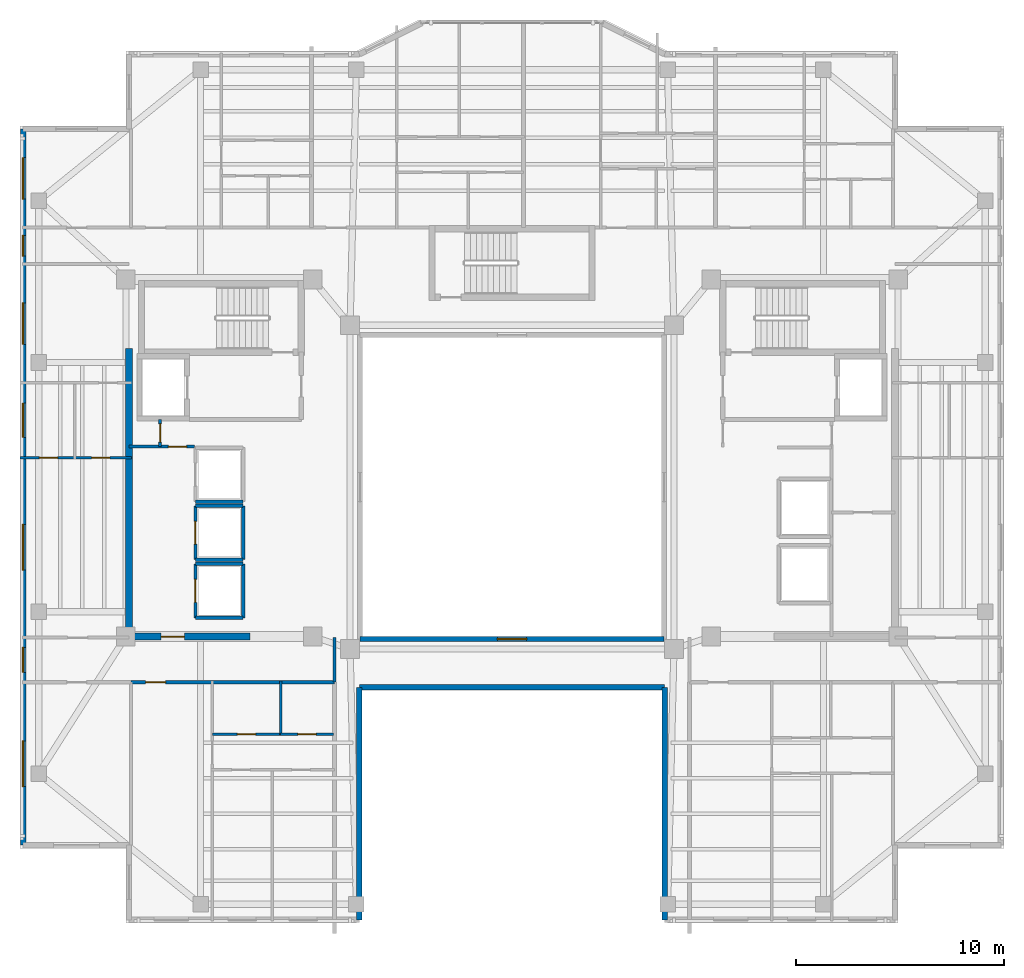
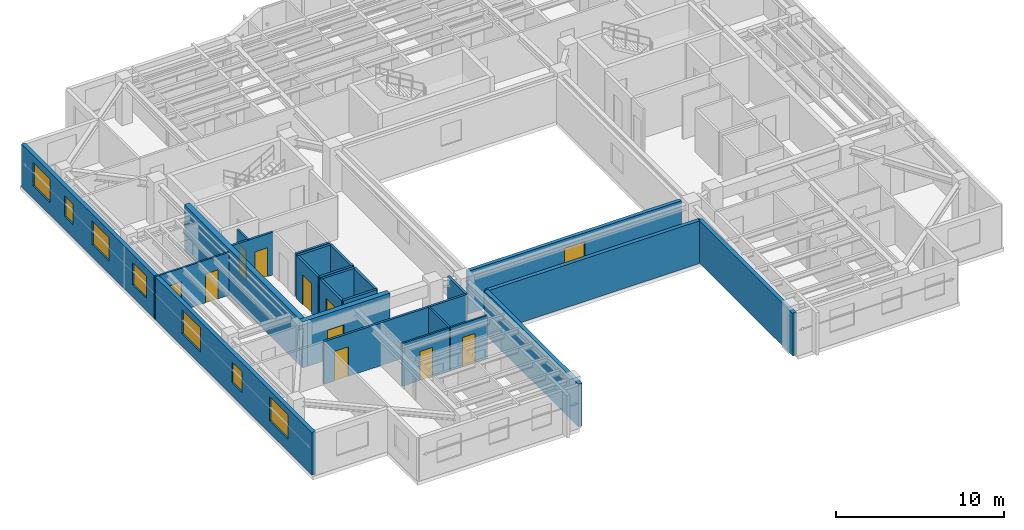
# One storey, part 4 of 12: 24 walls, 10 doors, 8 windows, 18 openings.
"""IFC4 building model written with IfcOpenShell, lengths in metres."""

from ifc_helpers import new_model, si_unit, direction, frame, frame_2d, origin, place, context, subcontext, project, spatial, rectangle, extrude, material, layer, layer_set, type_object, element, fill, save


model = new_model("IFC4")

# Units and contexts
model_context = context("Model", 3, precision=1e-05, world=origin(), true_north=direction((0.0, 1.0)))
body_context = subcontext(model_context, "Body", "Model", "MODEL_VIEW")
ifc_project = project(units=[si_unit("LENGTHUNIT", "METRE"), si_unit("AREAUNIT", "SQUARE_METRE"), si_unit("VOLUMEUNIT", "CUBIC_METRE"), si_unit("PLANEANGLEUNIT", "RADIAN"), si_unit("MASSUNIT", "GRAM", prefix="KILO")], contexts=[model_context])

# Site, building, storey
site_placement = place(None, origin())
site = spatial("IfcSite", under=ifc_project, at=site_placement, CompositionType="ELEMENT")
building_placement = place(site_placement, origin())
building = spatial("IfcBuilding", under=site, at=building_placement, Name="Tarnavaz Court Tower", CompositionType="ELEMENT")
storey_placement = place(building_placement, frame((0.0, 0.0, 220.39990234375)))
storey = spatial("IfcBuildingStorey", under=building, at=storey_placement, Name="L60", CompositionType="ELEMENT", Elevation=220.39990234375)

# Wall
ifc_material_1 = material(Name="Concrete C50/60", Category="concrete")
ifc_layer_1 = layer(ifc_material_1, 0.35009765625)
ifc_layer_set_1 = layer_set([ifc_layer_1], Name="Concrete C50/60")
wall_type_1 = type_object("IfcWallType", Name="WL-CORE-350-C50", PredefinedType="SHEAR", material=ifc_layer_set_1)
wall_1_placement = place(storey_placement, frame((-18.449951171875, -7.375, 0.0), z_axis=(0.0, 0.0, 1.0), x_axis=(0.0, 1.0, 0.0)))
element("IfcWall", 1, at=wall_1_placement, inside=storey, type_object=wall_type_1, Name="L60 West Core Shear Wall 045", PredefinedType="SHEAR", context=body_context, shape_type="SweptSolid", body=[
    extrude(rectangle(XDim=14.050048828125, YDim=0.35009765625, at=frame_2d((7.02490234375, 0.0))), origin(), (0.0, 0.0, 1.0), 3.35009765625),
])

# Wall, opening, door
wall_2_placement = place(storey_placement, frame((-18.625, -7.199951171875, 0.0), z_axis=(0.0, 0.0, 1.0), x_axis=(1.0, 0.0, 0.0)))
wall_2 = element("IfcWall", 2, at=wall_2_placement, inside=storey, type_object=wall_type_1, Name="L60 West Core South Shear Wall 046", PredefinedType="SHEAR", context=body_context, shape_type="SweptSolid", body=[
    extrude(rectangle(XDim=6.0, YDim=0.35009765625, at=frame_2d((3.0, 0.0))), origin(), (0.0, 0.0, 1.0), 3.35009765625),
])
opening_1_placement = place(wall_2_placement, frame((1.72509765625, 0.0, 0.0)))
opening_1 = element("IfcOpeningElement", 3, at=opening_1_placement, cuts=wall_2, Name="Opening D04", PredefinedType="OPENING", context=body_context, shape_type="SweptSolid", body=[
    extrude(rectangle(XDim=1.1201171875, YDim=2.14990234375, at=frame_2d((0.56005859375, 1.074951171875))), frame((0.0, 0.18505859375, 0.0), z_axis=(0.0, -1.0, 0.0), x_axis=(1.0, 0.0, 0.0)), (0.0, 0.0, 1.0), 0.3701171875),
])
ifc_material_2 = material(Name="Fire-Rated Hardwood Timber Core", Category="wood")
door_type_1 = type_object("IfcDoorType", Name="DR-FD60-1100", OperationType="NOTDEFINED", PredefinedType="DOOR", material=ifc_material_2)
door_1_placement = place(opening_1_placement, origin())
door_1 = element("IfcDoor", 4, at=door_1_placement, inside=storey, type_object=door_type_1, Name="L60 West High-Rise Lift Lobby Door", OperationType="SINGLE_SWING_LEFT", OverallHeight=2.14990234375, OverallWidth=1.1201171875, PredefinedType="DOOR", context=body_context, shape_type="SweptSolid", body=[
    extrude(rectangle(XDim=1.1201171875, YDim=2.14990234375, at=frame_2d((0.56005859375, 1.074951171875))), frame((0.0, 0.02490234375, 0.0), z_axis=(0.0, -1.0, 0.0), x_axis=(1.0, 0.0, 0.0)), (0.0, 0.0, 1.0), 0.050048828125),
])
fill(opening_1, door_1)

# Wall, openings, windows
ifc_material_3 = material(Name="Precast Concrete C40/50", Category="concrete")
ifc_layer_2 = layer(ifc_material_3, 0.260009765625)
ifc_layer_set_2 = layer_set([ifc_layer_2], Name="Precast Concrete C40/50")
wall_type_2 = type_object("IfcWallType", Name="WL-EXT-260", PredefinedType="SOLIDWALL", material=ifc_layer_set_2)
wall_3_placement = place(storey_placement, frame((-23.550048828125, -17.25, 0.0), z_axis=(0.0, 0.0, 1.0), x_axis=(0.0, 1.0, 0.0)))
wall_3 = element("IfcWall", 5, at=wall_3_placement, inside=storey, type_object=wall_type_2, Name="L60 Exterior Terracotta Facade Wall 02", PredefinedType="SOLIDWALL", context=body_context, shape_type="SweptSolid", body=[
    extrude(rectangle(XDim=34.5, YDim=0.260009765625, at=frame_2d((17.25, 0.0))), origin(), (0.0, 0.0, 1.0), 3.10009765625),
])
opening_2_placement = place(wall_3_placement, frame((2.824951171875, 0.0, 0.89990234375)))
opening_2 = element("IfcOpeningElement", 6, at=opening_2_placement, cuts=wall_3, Name="Opening W07", PredefinedType="OPENING", context=body_context, shape_type="SweptSolid", body=[
    extrude(rectangle(XDim=2.199951171875, YDim=1.75, at=frame_2d((1.10009765625, 0.875))), frame((0.0, 0.139892578125, 0.0), z_axis=(0.0, -1.0, 0.0), x_axis=(1.0, 0.0, 0.0)), (0.0, 0.0, 1.0), 0.280029296875),
])
opening_3_placement = place(wall_3_placement, frame((8.324951171875, 0.0, 0.949951171875)))
opening_3 = element("IfcOpeningElement", 7, at=opening_3_placement, cuts=wall_3, Name="Opening W05", PredefinedType="OPENING", context=body_context, shape_type="SweptSolid", body=[
    extrude(rectangle(XDim=1.199951171875, YDim=1.5, at=frame_2d((0.60009765625, 0.75))), frame((0.0, 0.139892578125, 0.0), z_axis=(0.0, -1.0, 0.0), x_axis=(1.0, 0.0, 0.0)), (0.0, 0.0, 1.0), 0.280029296875),
])
opening_4_placement = place(wall_3_placement, frame((13.25, 0.0, 0.89990234375)))
opening_4 = element("IfcOpeningElement", 8, at=opening_4_placement, cuts=wall_3, Name="Opening W07", PredefinedType="OPENING", context=body_context, shape_type="SweptSolid", body=[
    extrude(rectangle(XDim=2.199951171875, YDim=1.75, at=frame_2d((1.10009765625, 0.875))), frame((0.0, 0.139892578125, 0.0), z_axis=(0.0, -1.0, 0.0), x_axis=(1.0, 0.0, 0.0)), (0.0, 0.0, 1.0), 0.280029296875),
])
opening_5_placement = place(wall_3_placement, frame((19.64990234375, 0.0, 0.89990234375)))
opening_5 = element("IfcOpeningElement", 9, at=opening_5_placement, cuts=wall_3, Name="Opening W02", PredefinedType="OPENING", context=body_context, shape_type="SweptSolid", body=[
    extrude(rectangle(XDim=1.64990234375, YDim=1.60009765625, at=frame_2d((0.824951171875, 0.800048828125))), frame((0.0, 0.139892578125, 0.0), z_axis=(0.0, -1.0, 0.0), x_axis=(1.0, 0.0, 0.0)), (0.0, 0.0, 1.0), 0.280029296875),
])
opening_6_placement = place(wall_3_placement, frame((24.125, 0.0, 0.89990234375)))
opening_6 = element("IfcOpeningElement", 10, at=opening_6_placement, cuts=wall_3, Name="Opening W08", PredefinedType="OPENING", context=body_context, shape_type="SweptSolid", body=[
    extrude(rectangle(XDim=2.0, YDim=1.699951171875, at=frame_2d((1.0, 0.85009765625))), frame((0.0, 0.139892578125, 0.0), z_axis=(0.0, -1.0, 0.0), x_axis=(1.0, 0.0, 0.0)), (0.0, 0.0, 1.0), 0.280029296875),
])
opening_7_placement = place(wall_3_placement, frame((28.375, 0.0, 0.949951171875)))
opening_7 = element("IfcOpeningElement", 11, at=opening_7_placement, cuts=wall_3, Name="Opening W14", PredefinedType="OPENING", context=body_context, shape_type="SweptSolid", body=[
    extrude(rectangle(XDim=1.0, YDim=1.5, at=frame_2d((0.5, 0.75))), frame((0.0, 0.139892578125, 0.0), z_axis=(0.0, -1.0, 0.0), x_axis=(1.0, 0.0, 0.0)), (0.0, 0.0, 1.0), 0.280029296875),
])
opening_8_placement = place(wall_3_placement, frame((31.125, 0.0, 0.89990234375)))
opening_8 = element("IfcOpeningElement", 12, at=opening_8_placement, cuts=wall_3, Name="Opening W08", PredefinedType="OPENING", context=body_context, shape_type="SweptSolid", body=[
    extrude(rectangle(XDim=2.0, YDim=1.699951171875, at=frame_2d((1.0, 0.85009765625))), frame((0.0, 0.139892578125, 0.0), z_axis=(0.0, -1.0, 0.0), x_axis=(1.0, 0.0, 0.0)), (0.0, 0.0, 1.0), 0.280029296875),
])
ifc_material_4 = material(Name="Double-Glazed Solar Low-E Glass", Category="glass")
window_type_1 = type_object("IfcWindowType", Name="WN-APT-1000", PartitioningType="SINGLE_PANEL", PredefinedType="WINDOW", material=ifc_material_4)
window_1_placement = place(opening_7_placement, origin())
window_1 = element("IfcWindow", 13, at=window_1_placement, inside=storey, type_object=window_type_1, Name="L60 North-West Corner Corridor Window", OverallHeight=1.5, OverallWidth=1.0, PartitioningType="SINGLE_PANEL", PredefinedType="WINDOW", context=body_context, shape_type="SweptSolid", body=[
    extrude(rectangle(XDim=1.0, YDim=1.5, at=frame_2d((0.5, 0.75))), frame((0.0, 0.030029296875, 0.0), z_axis=(0.0, -1.0, 0.0), x_axis=(1.0, 0.0, 0.0)), (0.0, 0.0, 1.0), 0.06005859375),
])
fill(opening_7, window_1)
window_type_2 = type_object("IfcWindowType", Name="WN-APT-1200", PartitioningType="SINGLE_PANEL", PredefinedType="WINDOW", material=ifc_material_4)
window_2_placement = place(opening_3_placement, origin())
window_2 = element("IfcWindow", 14, at=window_2_placement, inside=storey, type_object=window_type_2, Name="L60 South-West Corner Corridor Window", OverallHeight=1.5, OverallWidth=1.199951171875, PartitioningType="SINGLE_PANEL", PredefinedType="WINDOW", context=body_context, shape_type="SweptSolid", body=[
    extrude(rectangle(XDim=1.199951171875, YDim=1.5, at=frame_2d((0.60009765625, 0.75))), frame((0.0, 0.030029296875, 0.0), z_axis=(0.0, -1.0, 0.0), x_axis=(1.0, 0.0, 0.0)), (0.0, 0.0, 1.0), 0.06005859375),
])
fill(opening_3, window_2)
window_type_3 = type_object("IfcWindowType", Name="WN-APT-1650", PartitioningType="DOUBLE_PANEL_VERTICAL", PredefinedType="WINDOW", material=ifc_material_4)
window_3_placement = place(opening_5_placement, origin())
window_3 = element("IfcWindow", 15, at=window_3_placement, inside=storey, type_object=window_type_3, Name="L60 Flat 07 Kitchen Window", OverallHeight=1.60009765625, OverallWidth=1.64990234375, PartitioningType="SINGLE_PANEL", PredefinedType="WINDOW", context=body_context, shape_type="SweptSolid", body=[
    extrude(rectangle(XDim=1.64990234375, YDim=1.60009765625, at=frame_2d((0.824951171875, 0.800048828125))), frame((0.0, 0.030029296875, 0.0), z_axis=(0.0, -1.0, 0.0), x_axis=(1.0, 0.0, 0.0)), (0.0, 0.0, 1.0), 0.06005859375),
])
fill(opening_5, window_3)
window_type_4 = type_object("IfcWindowType", Name="WN-APT-2000", PartitioningType="DOUBLE_PANEL_VERTICAL", PredefinedType="WINDOW", material=ifc_material_4)
window_4_placement = place(opening_6_placement, origin())
window_4 = element("IfcWindow", 16, at=window_4_placement, inside=storey, type_object=window_type_4, Name="L60 Flat 07 Study Room Window", OverallHeight=1.699951171875, OverallWidth=2.0, PartitioningType="SINGLE_PANEL", PredefinedType="WINDOW", context=body_context, shape_type="SweptSolid", body=[
    extrude(rectangle(XDim=2.0, YDim=1.699951171875, at=frame_2d((1.0, 0.85009765625))), frame((0.0, 0.030029296875, 0.0), z_axis=(0.0, -1.0, 0.0), x_axis=(1.0, 0.0, 0.0)), (0.0, 0.0, 1.0), 0.06005859375),
])
fill(opening_6, window_4)
window_5_placement = place(opening_8_placement, origin())
window_5 = element("IfcWindow", 17, at=window_5_placement, inside=storey, type_object=window_type_4, Name="L60 North-West Corner Sunroom Study Window", OverallHeight=1.699951171875, OverallWidth=2.0, PartitioningType="SINGLE_PANEL", PredefinedType="WINDOW", context=body_context, shape_type="SweptSolid", body=[
    extrude(rectangle(XDim=2.0, YDim=1.699951171875, at=frame_2d((1.0, 0.85009765625))), frame((0.0, 0.030029296875, 0.0), z_axis=(0.0, -1.0, 0.0), x_axis=(1.0, 0.0, 0.0)), (0.0, 0.0, 1.0), 0.06005859375),
])
fill(opening_8, window_5)
window_type_5 = type_object("IfcWindowType", Name="WN-APT-2200", PartitioningType="TRIPLE_PANEL_VERTICAL", PredefinedType="WINDOW", material=ifc_material_4)
window_6_placement = place(opening_2_placement, origin())
window_6 = element("IfcWindow", 18, at=window_6_placement, inside=storey, type_object=window_type_5, Name="L60 South-West Corner Reading Room Window", OverallHeight=1.75, OverallWidth=2.199951171875, PartitioningType="SINGLE_PANEL", PredefinedType="WINDOW", context=body_context, shape_type="SweptSolid", body=[
    extrude(rectangle(XDim=2.199951171875, YDim=1.75, at=frame_2d((1.10009765625, 0.875))), frame((0.0, 0.030029296875, 0.0), z_axis=(0.0, -1.0, 0.0), x_axis=(1.0, 0.0, 0.0)), (0.0, 0.0, 1.0), 0.06005859375),
])
fill(opening_2, window_6)
window_7_placement = place(opening_4_placement, origin())
window_7 = element("IfcWindow", 19, at=window_7_placement, inside=storey, type_object=window_type_5, Name="L60 Flat 07 Studio Living and Sleeping Room Window", OverallHeight=1.75, OverallWidth=2.199951171875, PartitioningType="SINGLE_PANEL", PredefinedType="WINDOW", context=body_context, shape_type="SweptSolid", body=[
    extrude(rectangle(XDim=2.199951171875, YDim=1.75, at=frame_2d((1.10009765625, 0.875))), frame((0.0, 0.030029296875, 0.0), z_axis=(0.0, -1.0, 0.0), x_axis=(1.0, 0.0, 0.0)), (0.0, 0.0, 1.0), 0.06005859375),
])
fill(opening_4, window_7)

# Walls
wall_4_placement = place(storey_placement, frame((7.35009765625, -20.85009765625, 0.0), z_axis=(0.0, 0.0, 1.0), x_axis=(0.0, 1.0, 0.0)))
element("IfcWall", 20, at=wall_4_placement, inside=storey, type_object=wall_type_2, Name="L60 Exterior Terracotta Facade Wall 16", PredefinedType="SOLIDWALL", context=body_context, shape_type="SweptSolid", body=[
    extrude(rectangle(XDim=11.2001953125, YDim=0.260009765625, at=frame_2d((5.60009765625, 0.0))), origin(), (0.0, 0.0, 1.0), 3.10009765625),
])
wall_5_placement = place(storey_placement, frame((7.35009765625, -9.64990234375, 0.0), z_axis=(0.0, 0.0, 1.0), x_axis=(-1.0, 0.0, 0.0)))
element("IfcWall", 21, at=wall_5_placement, inside=storey, type_object=wall_type_2, Name="L60 Exterior Terracotta Facade Wall 17", PredefinedType="SOLIDWALL", context=body_context, shape_type="SweptSolid", body=[
    extrude(rectangle(XDim=14.7001953125, YDim=0.260009765625, at=frame_2d((7.35009765625, 0.0))), origin(), (0.0, 0.0, 1.0), 3.10009765625),
])
wall_6_placement = place(storey_placement, frame((-7.35009765625, -9.64990234375, 0.0), z_axis=(0.0, 0.0, 1.0), x_axis=(0.0, -1.0, 0.0)))
element("IfcWall", 22, at=wall_6_placement, inside=storey, type_object=wall_type_2, Name="L60 Exterior Terracotta Facade Wall 18", PredefinedType="SOLIDWALL", context=body_context, shape_type="SweptSolid", body=[
    extrude(rectangle(XDim=11.2001953125, YDim=0.260009765625, at=frame_2d((5.60009765625, 0.0))), origin(), (0.0, 0.0, 1.0), 3.10009765625),
])

# Wall, opening, door
ifc_material_5 = material(Name="Gypsum Fire-Board on Acoustic Metal Stud", Category="masonry")
ifc_layer_3 = layer(ifc_material_5, 0.14990234375)
ifc_layer_set_3 = layer_set([ifc_layer_3], Name="Gypsum Fire-Board on Acoustic Metal Stud")
wall_type_3 = type_object("IfcWallType", Name="WL-FIRE-150", PredefinedType="PARTITIONING", material=ifc_layer_set_3)
wall_7_placement = place(storey_placement, frame((-18.35009765625, -9.39990234375, 0.0), z_axis=(0.0, 0.0, 1.0), x_axis=(1.0, 0.0, 0.0)))
wall_7 = element("IfcWall", 23, at=wall_7_placement, inside=storey, type_object=wall_type_3, Name="L60 SW Lobby Wall 057", PredefinedType="PARTITIONING", context=body_context, shape_type="SweptSolid", body=[
    extrude(rectangle(XDim=9.800048828125, YDim=0.14990234375, at=frame_2d((4.89990234375, 0.0))), origin(), (0.0, 0.0, 1.0), 3.10009765625),
])
opening_9_placement = place(wall_7_placement, frame((0.699951171875, 0.0, 0.0)))
opening_9 = element("IfcOpeningElement", 24, at=opening_9_placement, cuts=wall_7, Name="Opening D06", PredefinedType="OPENING", context=body_context, shape_type="SweptSolid", body=[
    extrude(rectangle(XDim=0.9599609375, YDim=2.14990234375, at=frame_2d((0.47998046875, 1.074951171875))), frame((0.0, 0.0849609375, 0.0), z_axis=(0.0, -1.0, 0.0), x_axis=(1.0, 0.0, 0.0)), (0.0, 0.0, 1.0), 0.169921875),
])
door_type_2 = type_object("IfcDoorType", Name="DR-FD60-950", OperationType="NOTDEFINED", PredefinedType="DOOR", material=ifc_material_2)
door_2_placement = place(opening_9_placement, origin())
door_2 = element("IfcDoor", 25, at=door_2_placement, inside=storey, type_object=door_type_2, Name="L60 Flat 05 Entrance Door", OperationType="SINGLE_SWING_LEFT", OverallHeight=2.14990234375, OverallWidth=0.9599609375, PredefinedType="DOOR", context=body_context, shape_type="SweptSolid", body=[
    extrude(rectangle(XDim=0.9599609375, YDim=2.14990234375, at=frame_2d((0.47998046875, 1.074951171875))), frame((0.0, 0.02490234375, 0.0), z_axis=(0.0, -1.0, 0.0), x_axis=(1.0, 0.0, 0.0)), (0.0, 0.0, 1.0), 0.050048828125),
])
fill(opening_9, door_2)

# Wall
wall_8_placement = place(storey_placement, frame((-8.550048828125, -9.39990234375, 0.0), z_axis=(0.0, 0.0, 1.0), x_axis=(0.0, 1.0, 0.0)))
element("IfcWall", 26, at=wall_8_placement, inside=storey, type_object=wall_type_3, Name="L60 West Spine End Wall 059", PredefinedType="PARTITIONING", context=body_context, shape_type="SweptSolid", body=[
    extrude(rectangle(XDim=2.14990234375, YDim=0.14990234375, at=frame_2d((1.074951171875, 0.0))), origin(), (0.0, 0.0, 1.0), 3.10009765625),
])

# Wall, opening, door
ifc_material_6 = material(Name="Moisture-Resistant Gypsum Board Partition", Category="masonry")
ifc_layer_4 = layer(ifc_material_6, 0.1201171875)
ifc_layer_set_4 = layer_set([ifc_layer_4], Name="Moisture-Resistant Gypsum Board Partition")
wall_type_4 = type_object("IfcWallType", Name="WL-PART-120", PredefinedType="PARTITIONING", material=ifc_layer_set_4)
wall_9_placement = place(storey_placement, frame((-14.43798828125, -11.909912109375, 0.0), z_axis=(0.0, 0.0, 1.0), x_axis=(1.0, 0.0, 0.0)))
wall_9 = element("IfcWall", 27, at=wall_9_placement, inside=storey, type_object=wall_type_4, Name="L60 Interior Partition 087", PredefinedType="PARTITIONING", context=body_context, shape_type="SweptSolid", body=[
    extrude(rectangle(XDim=3.29296875, YDim=0.1201171875, at=frame_2d((1.646484375, 0.0))), origin(), (0.0, 0.0, 1.0), 3.10009765625),
])
opening_10_placement = place(wall_9_placement, frame((1.20703125, 0.0, 0.0)))
opening_10 = element("IfcOpeningElement", 28, at=opening_10_placement, cuts=wall_9, Name="Opening D14", PredefinedType="OPENING", context=body_context, shape_type="SweptSolid", body=[
    extrude(rectangle(XDim=0.8798828125, YDim=2.10009765625, at=frame_2d((0.43994140625, 1.050048828125))), frame((0.0, 0.070068359375, 0.0), z_axis=(0.0, -1.0, 0.0), x_axis=(1.0, 0.0, 0.0)), (0.0, 0.0, 1.0), 0.14013671875),
])
ifc_material_7 = material(Name="Engineered Oak Timber", Category="wood")
door_type_3 = type_object("IfcDoorType", Name="DR-INT-900", OperationType="NOTDEFINED", PredefinedType="DOOR", material=ifc_material_7)
door_3_placement = place(opening_10_placement, origin())
door_3 = element("IfcDoor", 29, at=door_3_placement, inside=storey, type_object=door_type_3, Name="L60 Flat 05 Kitchen Door", OperationType="SINGLE_SWING_LEFT", OverallHeight=2.10009765625, OverallWidth=0.8798828125, PredefinedType="DOOR", context=body_context, shape_type="SweptSolid", body=[
    extrude(rectangle(XDim=0.8798828125, YDim=2.10009765625, at=frame_2d((0.43994140625, 1.050048828125))), frame((0.0, 0.02490234375, 0.0), z_axis=(0.0, -1.0, 0.0), x_axis=(1.0, 0.0, 0.0)), (0.0, 0.0, 1.0), 0.050048828125),
])
fill(opening_10, door_3)

wall_10_placement = place(storey_placement, frame((-11.14501953125, -11.909912109375, 0.0), z_axis=(0.0, 0.0, 1.0), x_axis=(1.0, 0.0, 0.0)))
wall_10 = element("IfcWall", 30, at=wall_10_placement, inside=storey, type_object=wall_type_4, Name="L60 Interior Partition 088", PredefinedType="PARTITIONING", context=body_context, shape_type="SweptSolid", body=[
    extrude(rectangle(XDim=2.544921875, YDim=0.1201171875, at=frame_2d((1.2724609375, 0.0))), origin(), (0.0, 0.0, 1.0), 3.10009765625),
])
opening_11_placement = place(wall_10_placement, frame((0.8330078125, 0.0, 0.0)))
opening_11 = element("IfcOpeningElement", 31, at=opening_11_placement, cuts=wall_10, Name="Opening D14", PredefinedType="OPENING", context=body_context, shape_type="SweptSolid", body=[
    extrude(rectangle(XDim=0.8798828125, YDim=2.10009765625, at=frame_2d((0.43994140625, 1.050048828125))), frame((0.0, 0.070068359375, 0.0), z_axis=(0.0, -1.0, 0.0), x_axis=(1.0, 0.0, 0.0)), (0.0, 0.0, 1.0), 0.14013671875),
])
door_4_placement = place(opening_11_placement, origin())
door_4 = element("IfcDoor", 32, at=door_4_placement, inside=storey, type_object=door_type_3, Name="L60 Flat 05 Bathroom Door", OperationType="SINGLE_SWING_RIGHT", OverallHeight=2.10009765625, OverallWidth=0.8798828125, PredefinedType="DOOR", context=body_context, shape_type="SweptSolid", body=[
    extrude(rectangle(XDim=0.8798828125, YDim=2.10009765625, at=frame_2d((0.43994140625, 1.050048828125))), frame((0.0, 0.02490234375, 0.0), z_axis=(0.0, -1.0, 0.0), x_axis=(1.0, 0.0, 0.0)), (0.0, 0.0, 1.0), 0.050048828125),
])
fill(opening_11, door_4)

# Wall
wall_11_placement = place(storey_placement, frame((-11.14501953125, -11.969970703125, 0.0), z_axis=(0.0, 0.0, 1.0), x_axis=(0.0, 1.0, 0.0)))
element("IfcWall", 33, at=wall_11_placement, inside=storey, type_object=wall_type_4, Name="L60 Interior Partition 090", PredefinedType="PARTITIONING", context=body_context, shape_type="SweptSolid", body=[
    extrude(rectangle(XDim=2.6298828125, YDim=0.1201171875, at=frame_2d((1.31494140625, 0.0))), origin(), (0.0, 0.0, 1.0), 3.10009765625),
])

# Wall, openings, doors
wall_12_placement = place(storey_placement, frame((-23.699951171875, 1.419921875, 0.0), z_axis=(0.0, 0.0, 1.0), x_axis=(1.0, 0.0, 0.0)))
wall_12 = element("IfcWall", 34, at=wall_12_placement, inside=storey, type_object=wall_type_4, Name="L60 Interior Partition 112", PredefinedType="PARTITIONING", context=body_context, shape_type="SweptSolid", body=[
    extrude(rectangle(XDim=5.369873046875, YDim=0.1201171875, at=frame_2d((2.68505859375, 0.0))), origin(), (0.0, 0.0, 1.0), 3.10009765625),
])
opening_12_placement = place(wall_12_placement, frame((0.93701171875, 0.0, 0.0)))
opening_12 = element("IfcOpeningElement", 35, at=opening_12_placement, cuts=wall_12, Name="Opening D14", PredefinedType="OPENING", context=body_context, shape_type="SweptSolid", body=[
    extrude(rectangle(XDim=0.8798828125, YDim=2.10009765625, at=frame_2d((0.43994140625, 1.050048828125))), frame((0.0, 0.070068359375, 0.0), z_axis=(0.0, -1.0, 0.0), x_axis=(1.0, 0.0, 0.0)), (0.0, 0.0, 1.0), 0.14013671875),
])
opening_13_placement = place(wall_12_placement, frame((3.451904296875, 0.0, 0.0)))
opening_13 = element("IfcOpeningElement", 36, at=opening_13_placement, cuts=wall_12, Name="Opening D14", PredefinedType="OPENING", context=body_context, shape_type="SweptSolid", body=[
    extrude(rectangle(XDim=0.8798828125, YDim=2.10009765625, at=frame_2d((0.43994140625, 1.050048828125))), frame((0.0, 0.070068359375, 0.0), z_axis=(0.0, -1.0, 0.0), x_axis=(1.0, 0.0, 0.0)), (0.0, 0.0, 1.0), 0.14013671875),
])
door_5_placement = place(opening_12_placement, origin())
door_5 = element("IfcDoor", 37, at=door_5_placement, inside=storey, type_object=door_type_3, Name="L60 Flat 07 Kitchen Door", OperationType="SINGLE_SWING_RIGHT", OverallHeight=2.10009765625, OverallWidth=0.8798828125, PredefinedType="DOOR", context=body_context, shape_type="SweptSolid", body=[
    extrude(rectangle(XDim=0.8798828125, YDim=2.10009765625, at=frame_2d((0.43994140625, 1.050048828125))), frame((0.0, 0.02490234375, 0.0), z_axis=(0.0, -1.0, 0.0), x_axis=(1.0, 0.0, 0.0)), (0.0, 0.0, 1.0), 0.050048828125),
])
fill(opening_12, door_5)
door_6_placement = place(opening_13_placement, origin())
door_6 = element("IfcDoor", 38, at=door_6_placement, inside=storey, type_object=door_type_3, Name="L60 Flat 07 Bathroom Door", OperationType="SINGLE_SWING_LEFT", OverallHeight=2.10009765625, OverallWidth=0.8798828125, PredefinedType="DOOR", context=body_context, shape_type="SweptSolid", body=[
    extrude(rectangle(XDim=0.8798828125, YDim=2.10009765625, at=frame_2d((0.43994140625, 1.050048828125))), frame((0.0, 0.02490234375, 0.0), z_axis=(0.0, -1.0, 0.0), x_axis=(1.0, 0.0, 0.0)), (0.0, 0.0, 1.0), 0.050048828125),
])
fill(opening_13, door_6)

# Wall, opening, door
ifc_material_8 = material(Name="Gypsum Plasterboard Acoustic Partition", Category="masonry")
ifc_layer_5 = layer(ifc_material_8, 0.139892578125)
ifc_layer_set_5 = layer_set([ifc_layer_5], Name="Gypsum Plasterboard Acoustic Partition")
wall_type_5 = type_object("IfcWallType", Name="WL-PART-150", PredefinedType="PARTITIONING", material=ifc_layer_set_5)
wall_13_placement = place(storey_placement, frame((-18.449951171875, 1.949951171875, 0.0), z_axis=(0.0, 0.0, 1.0), x_axis=(1.0, 0.0, 0.0)))
wall_13 = element("IfcWall", 39, at=wall_13_placement, inside=storey, type_object=wall_type_5, Name="L60 Interior Partition 049", PredefinedType="PARTITIONING", context=body_context, shape_type="SweptSolid", body=[
    extrude(rectangle(XDim=3.14990234375, YDim=0.139892578125, at=frame_2d((1.574951171875, 0.0))), origin(), (0.0, 0.0, 1.0), 3.10009765625),
])
opening_14_placement = place(wall_13_placement, frame((1.89990234375, 0.0, 0.0)))
opening_14 = element("IfcOpeningElement", 40, at=opening_14_placement, cuts=wall_13, Name="Opening D14", PredefinedType="OPENING", context=body_context, shape_type="SweptSolid", body=[
    extrude(rectangle(XDim=0.8798828125, YDim=2.10009765625, at=frame_2d((0.43994140625, 1.050048828125))), frame((0.0, 0.079833984375, 0.0), z_axis=(0.0, -1.0, 0.0), x_axis=(1.0, 0.0, 0.0)), (0.0, 0.0, 1.0), 0.159912109375),
])
door_7_placement = place(opening_14_placement, origin())
door_7 = element("IfcDoor", 41, at=door_7_placement, inside=storey, type_object=door_type_3, Name="L60 West Sky Switchgear Door", OperationType="SINGLE_SWING_RIGHT", OverallHeight=2.10009765625, OverallWidth=0.8798828125, PredefinedType="DOOR", context=body_context, shape_type="SweptSolid", body=[
    extrude(rectangle(XDim=0.8798828125, YDim=2.10009765625, at=frame_2d((0.43994140625, 1.050048828125))), frame((0.0, 0.02490234375, 0.0), z_axis=(0.0, -1.0, 0.0), x_axis=(1.0, 0.0, 0.0)), (0.0, 0.0, 1.0), 0.050048828125),
])
fill(opening_14, door_7)

wall_14_placement = place(storey_placement, frame((-16.949951171875, 1.949951171875, 0.0), z_axis=(0.0, 0.0, 1.0), x_axis=(0.0, 1.0, 0.0)))
wall_14 = element("IfcWall", 42, at=wall_14_placement, inside=storey, type_object=wall_type_5, Name="L60 Interior Partition 050", PredefinedType="PARTITIONING", context=body_context, shape_type="SweptSolid", body=[
    extrude(rectangle(XDim=1.300048828125, YDim=0.139892578125, at=frame_2d((0.64990234375, 0.0))), origin(), (0.0, 0.0, 1.0), 3.10009765625),
])
opening_15_placement = place(wall_14_placement, frame((0.219970703125, 0.0, 0.0)))
opening_15 = element("IfcOpeningElement", 43, at=opening_15_placement, cuts=wall_14, Name="Opening D14", PredefinedType="OPENING", context=body_context, shape_type="SweptSolid", body=[
    extrude(rectangle(XDim=0.8798828125, YDim=2.10009765625, at=frame_2d((0.43994140625, 1.050048828125))), frame((0.0, 0.079833984375, 0.0), z_axis=(0.0, -1.0, 0.0), x_axis=(1.0, 0.0, 0.0)), (0.0, 0.0, 1.0), 0.159912109375),
])
door_8_placement = place(opening_15_placement, origin())
door_8 = element("IfcDoor", 44, at=door_8_placement, inside=storey, type_object=door_type_3, Name="L60 West Sky Telecom Door", OperationType="SINGLE_SWING_LEFT", OverallHeight=2.10009765625, OverallWidth=0.8798828125, PredefinedType="DOOR", context=body_context, shape_type="SweptSolid", body=[
    extrude(rectangle(XDim=0.8798828125, YDim=2.10009765625, at=frame_2d((0.43994140625, 1.050048828125))), frame((0.0, 0.02490234375, 0.0), z_axis=(0.0, -1.0, 0.0), x_axis=(1.0, 0.0, 0.0)), (0.0, 0.0, 1.0), 0.050048828125),
])
fill(opening_15, door_8)

ifc_material_9 = material(Name="Autoclaved Aerated Concrete Blockwork", Category="masonry")
ifc_layer_6 = layer(ifc_material_9, 0.159912109375)
ifc_layer_set_6 = layer_set([ifc_layer_6], Name="Autoclaved Aerated Concrete Blockwork")
wall_type_6 = type_object("IfcWallType", Name="WL-SHAFT-150", PredefinedType="SOLIDWALL", material=ifc_layer_set_6)
wall_15_placement = place(storey_placement, frame((-15.25, -6.300048828125, 0.0), z_axis=(0.0, 0.0, 1.0), x_axis=(0.0, 1.0, 0.0)))
wall_15 = element("IfcWall", 45, at=wall_15_placement, inside=storey, type_object=wall_type_6, Name="L60 Lift PL-H1 Shaft Wall 021", PredefinedType="SOLIDWALL", context=body_context, shape_type="SweptSolid", body=[
    extrude(rectangle(XDim=2.60009765625, YDim=0.159912109375, at=frame_2d((1.300048828125, 0.0))), origin(), (0.0, 0.0, 1.0), 3.10009765625),
])
opening_16_placement = place(wall_15_placement, frame((0.75, 0.0, 0.0)))
opening_16 = element("IfcOpeningElement", 46, at=opening_16_placement, cuts=wall_15, Name="Opening LD1", PredefinedType="OPENING", context=body_context, shape_type="SweptSolid", body=[
    extrude(rectangle(XDim=1.10009765625, YDim=2.14990234375, at=frame_2d((0.550048828125, 1.074951171875))), frame((0.0, 0.08984375, 0.0), z_axis=(0.0, -1.0, 0.0), x_axis=(1.0, 0.0, 0.0)), (0.0, 0.0, 1.0), 0.179931640625),
])
ifc_material_10 = material(Name="Stainless Steel", Category="steel")
door_type_4 = type_object("IfcDoorType", Name="DR-LD-1100", OperationType="NOTDEFINED", PredefinedType="DOOR", material=ifc_material_10)
door_9_placement = place(opening_16_placement, origin())
door_9 = element("IfcDoor", 47, at=door_9_placement, inside=storey, type_object=door_type_4, Name="L60 Lift Landing Door LD-PL-H1", OperationType="SLIDING_TO_LEFT", OverallHeight=2.14990234375, OverallWidth=1.10009765625, PredefinedType="DOOR", context=body_context, shape_type="SweptSolid", body=[
    extrude(rectangle(XDim=1.10009765625, YDim=2.14990234375, at=frame_2d((0.550048828125, 1.074951171875))), frame((0.0, 0.02490234375, 0.0), z_axis=(0.0, -1.0, 0.0), x_axis=(1.0, 0.0, 0.0)), (0.0, 0.0, 1.0), 0.050048828125),
])
fill(opening_16, door_9)

# Walls
wall_16_placement = place(storey_placement, frame((-12.949951171875, -6.300048828125, 0.0), z_axis=(0.0, 0.0, 1.0), x_axis=(0.0, 1.0, 0.0)))
element("IfcWall", 48, at=wall_16_placement, inside=storey, type_object=wall_type_6, Name="L60 Lift PL-H1 Shaft Wall 022", PredefinedType="SOLIDWALL", context=body_context, shape_type="SweptSolid", body=[
    extrude(rectangle(XDim=2.60009765625, YDim=0.159912109375, at=frame_2d((1.300048828125, 0.0))), origin(), (0.0, 0.0, 1.0), 3.10009765625),
])
for number, where, z_axis, x_axis, name in (
    (49, (-15.25, -6.300048828125, 0.0), (0.0, 0.0, 1.0), (1.0, 0.0, 0.0), "L60 Lift PL-H1 Shaft Wall 023"),
    (50, (-15.25, -3.699951171875, 0.0), (0.0, 0.0, 1.0), (1.0, 0.0, 0.0), "L60 Lift PL-H1 Shaft Wall 024"),
):
    element("IfcWall", number, at=place(storey_placement, frame(where, z_axis=z_axis, x_axis=x_axis)), inside=storey, type_object=wall_type_6, Name=name, PredefinedType="SOLIDWALL", context=body_context, shape_type="SweptSolid", body=[
        extrude(rectangle(XDim=2.300048828125, YDim=0.159912109375, at=frame_2d((1.14990234375, 0.0))), origin(), (0.0, 0.0, 1.0), 3.10009765625),
    ])

# Wall, opening, door
wall_17_placement = place(storey_placement, frame((-15.25, -3.5, 0.0), z_axis=(0.0, 0.0, 1.0), x_axis=(0.0, 1.0, 0.0)))
wall_17 = element("IfcWall", 51, at=wall_17_placement, inside=storey, type_object=wall_type_6, Name="L60 Lift PL-H2 Shaft Wall 025", PredefinedType="SOLIDWALL", context=body_context, shape_type="SweptSolid", body=[
    extrude(rectangle(XDim=2.60009765625, YDim=0.159912109375, at=frame_2d((1.300048828125, 0.0))), origin(), (0.0, 0.0, 1.0), 3.10009765625),
])
opening_17_placement = place(wall_17_placement, frame((0.75, 0.0, 0.0)))
opening_17 = element("IfcOpeningElement", 52, at=opening_17_placement, cuts=wall_17, Name="Opening LD1", PredefinedType="OPENING", context=body_context, shape_type="SweptSolid", body=[
    extrude(rectangle(XDim=1.10009765625, YDim=2.14990234375, at=frame_2d((0.550048828125, 1.074951171875))), frame((0.0, 0.08984375, 0.0), z_axis=(0.0, -1.0, 0.0), x_axis=(1.0, 0.0, 0.0)), (0.0, 0.0, 1.0), 0.179931640625),
])
door_10_placement = place(opening_17_placement, origin())
door_10 = element("IfcDoor", 53, at=door_10_placement, inside=storey, type_object=door_type_4, Name="L60 Lift Landing Door LD-PL-H2", OperationType="SLIDING_TO_LEFT", OverallHeight=2.14990234375, OverallWidth=1.10009765625, PredefinedType="DOOR", context=body_context, shape_type="SweptSolid", body=[
    extrude(rectangle(XDim=1.10009765625, YDim=2.14990234375, at=frame_2d((0.550048828125, 1.074951171875))), frame((0.0, 0.02490234375, 0.0), z_axis=(0.0, -1.0, 0.0), x_axis=(1.0, 0.0, 0.0)), (0.0, 0.0, 1.0), 0.050048828125),
])
fill(opening_17, door_10)

# Walls
wall_18_placement = place(storey_placement, frame((-12.949951171875, -3.5, 0.0), z_axis=(0.0, 0.0, 1.0), x_axis=(0.0, 1.0, 0.0)))
element("IfcWall", 54, at=wall_18_placement, inside=storey, type_object=wall_type_6, Name="L60 Lift PL-H2 Shaft Wall 026", PredefinedType="SOLIDWALL", context=body_context, shape_type="SweptSolid", body=[
    extrude(rectangle(XDim=2.60009765625, YDim=0.159912109375, at=frame_2d((1.300048828125, 0.0))), origin(), (0.0, 0.0, 1.0), 3.10009765625),
])
for number, where, z_axis, x_axis, name in (
    (55, (-15.25, -3.5, 0.0), (0.0, 0.0, 1.0), (1.0, 0.0, 0.0), "L60 Lift PL-H2 Shaft Wall 027"),
    (56, (-15.25, -0.89990234375, 0.0), (0.0, 0.0, 1.0), (1.0, 0.0, 0.0), "L60 Lift PL-H2 Shaft Wall 028"),
    (57, (-15.25, -0.699951171875, 0.0), (0.0, 0.0, 1.0), (1.0, 0.0, 0.0), "L60 Lift PL-H3 Shaft Wall 031"),
):
    element("IfcWall", number, at=place(storey_placement, frame(where, z_axis=z_axis, x_axis=x_axis)), inside=storey, type_object=wall_type_6, Name=name, PredefinedType="SOLIDWALL", context=body_context, shape_type="SweptSolid", body=[
        extrude(rectangle(XDim=2.300048828125, YDim=0.159912109375, at=frame_2d((1.14990234375, 0.0))), origin(), (0.0, 0.0, 1.0), 3.10009765625),
    ])

# Wall, opening, window
ifc_layer_7 = layer(ifc_material_3, 0.239990234375)
ifc_layer_set_7 = layer_set([ifc_layer_7], Name="Precast Concrete C40/50")
wall_type_7 = type_object("IfcWallType", Name="WL-WELL-240", PredefinedType="SOLIDWALL", material=ifc_layer_set_7)
wall_19_placement = place(storey_placement, frame((-7.320068359375, -7.320068359375, 0.0), z_axis=(0.0, 0.0, 1.0), x_axis=(1.0, 0.0, 0.0)))
wall_19 = element("IfcWall", 58, at=wall_19_placement, inside=storey, type_object=wall_type_7, Name="L60 Badgir Light-Well Exterior Wall S", PredefinedType="SOLIDWALL", context=body_context, shape_type="SweptSolid", body=[
    extrude(rectangle(XDim=14.64013671875, YDim=0.239990234375, at=frame_2d((7.320068359375, 0.0))), origin(), (0.0, 0.0, 1.0), 3.10009765625),
])
opening_18_placement = place(wall_19_placement, frame((6.6201171875, 0.0, 0.949951171875)))
opening_18 = element("IfcOpeningElement", 59, at=opening_18_placement, cuts=wall_19, Name="Opening W13", PredefinedType="OPENING", context=body_context, shape_type="SweptSolid", body=[
    extrude(rectangle(XDim=1.39990234375, YDim=1.5, at=frame_2d((0.699951171875, 0.75))), frame((0.0, 0.1298828125, 0.0), z_axis=(0.0, -1.0, 0.0), x_axis=(1.0, 0.0, 0.0)), (0.0, 0.0, 1.0), 0.260009765625),
])
window_type_6 = type_object("IfcWindowType", Name="WN-WEL-1400", PartitioningType="SINGLE_PANEL", PredefinedType="WINDOW", material=ifc_material_4)
window_8_placement = place(opening_18_placement, origin())
window_8 = element("IfcWindow", 60, at=window_8_placement, inside=storey, type_object=window_type_6, Name="L60 Courtyard Gallery Window S", OverallHeight=1.5, OverallWidth=1.39990234375, PartitioningType="SINGLE_PANEL", PredefinedType="WINDOW", context=body_context, shape_type="SweptSolid", body=[
    extrude(rectangle(XDim=1.39990234375, YDim=1.5, at=frame_2d((0.699951171875, 0.75))), frame((0.0, 0.030029296875, 0.0), z_axis=(0.0, -1.0, 0.0), x_axis=(1.0, 0.0, 0.0)), (0.0, 0.0, 1.0), 0.06005859375),
])
fill(opening_18, window_8)

save(model, "model.ifc")
